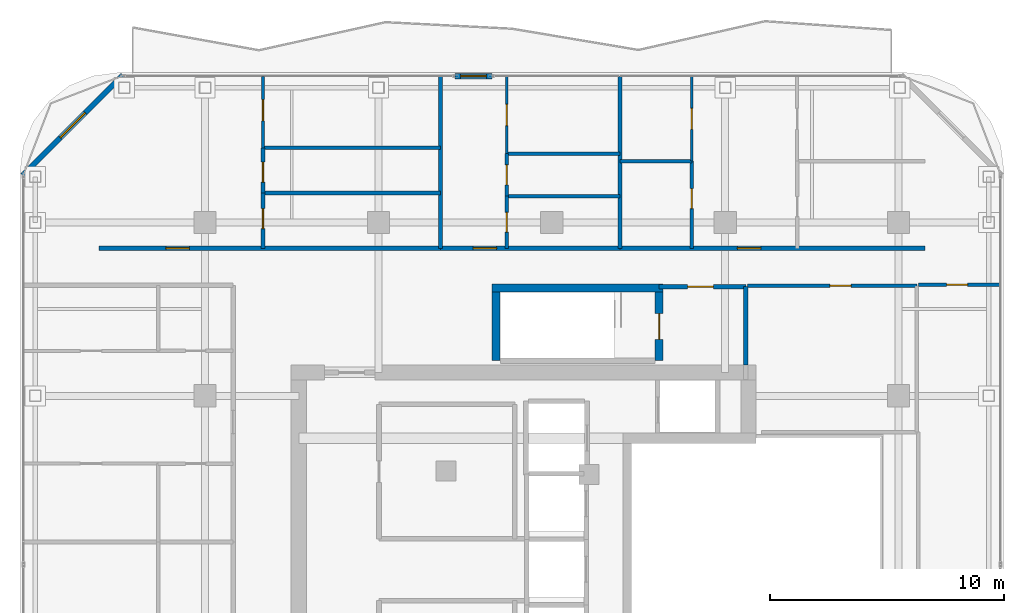
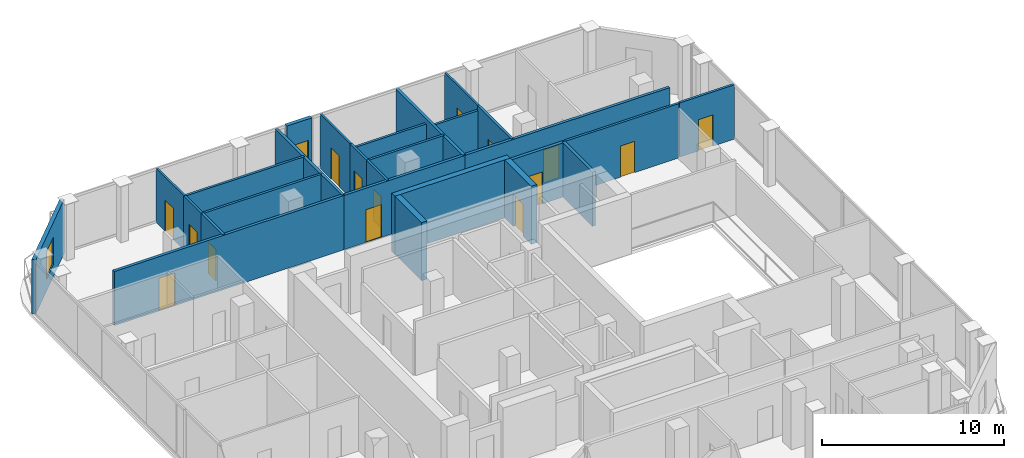
# One storey, part 20 of 22: 27 walls, 16 doors, 1 window, 17 openings.
"""IFC4 building model written with IfcOpenShell, lengths in metres."""

from ifc_helpers import new_model, si_unit, direction, frame, frame_2d, origin, place, context, subcontext, project, spatial, rectangle, extrude, material, layer, layer_set, type_object, element, fill, save


model = new_model("IFC4")

# Units and contexts
model_context = context("Model", 3, precision=1e-05, world=origin(), true_north=direction((0.0, 1.0)))
body_context = subcontext(model_context, "Body", "Model", "MODEL_VIEW")
ifc_project = project(units=[si_unit("LENGTHUNIT", "METRE"), si_unit("AREAUNIT", "SQUARE_METRE"), si_unit("VOLUMEUNIT", "CUBIC_METRE"), si_unit("PLANEANGLEUNIT", "RADIAN"), si_unit("MASSUNIT", "GRAM", prefix="KILO")], contexts=[model_context])

# Site, building, storey
site_placement = place(None, origin())
site = spatial("IfcSite", under=ifc_project, at=site_placement, CompositionType="ELEMENT")
building_placement = place(site_placement, origin())
building = spatial("IfcBuilding", under=site, at=building_placement, Name="Khorvyn Point Tower", CompositionType="ELEMENT")
storey_placement = place(building_placement, frame((0.0, 0.0, 309.300048828125)))
storey = spatial("IfcBuildingStorey", under=building, at=storey_placement, Name="L76", CompositionType="ELEMENT", Elevation=309.300048828125)

# Wall, opening, door
ifc_material_1 = material(Name="Double acoustic gypsum on twin steel stud", Category="steel")
ifc_layer_1 = layer(ifc_material_1, 0.179931640625)
ifc_layer_set_1 = layer_set([ifc_layer_1], Name="Acoustic Double-Stud Apartment Demising Wall 180")
wall_type_1 = type_object("IfcWallType", Name="Acoustic Double-Stud Apartment Demising Wall 180", PredefinedType="PARTITIONING", material=ifc_layer_set_1)
wall_1_placement = place(storey_placement, frame((-19.320068359375, 13.699951171875, 0.0), z_axis=(0.0, 0.0, 1.0), x_axis=(1.0, 0.0, 0.0)))
wall_1 = element("IfcWall", 1, at=wall_1_placement, inside=storey, type_object=wall_type_1, Name="Wall", PredefinedType="PARTITIONING", context=body_context, shape_type="SweptSolid", body=[
    extrude(rectangle(XDim=14.566162109375, YDim=0.179931640625, at=frame_2d((7.283203125, 0.0))), origin(), (0.0, 0.0, 1.0), 3.639892578125),
])
opening_1_placement = place(wall_1_placement, frame((2.844970703125, 0.0, 0.0)))
opening_1 = element("IfcOpeningElement", 2, at=opening_1_placement, cuts=wall_1, Name="Opening ID-AP60", PredefinedType="OPENING", context=body_context, shape_type="SweptSolid", body=[
    extrude(rectangle(XDim=1.0, YDim=2.199951171875, at=frame_2d((0.5, 1.10009765625))), frame((0.0, 0.099853515625, 0.0), z_axis=(0.0, -1.0, 0.0), x_axis=(1.0, 0.0, 0.0)), (0.0, 0.0, 1.0), 0.199951171875),
])
ifc_material_2 = material(Name="Engineered hardwood fire-rated leaf", Category="wood")
door_type_1 = type_object("IfcDoorType", Name="Acoustic Solid-Core Timber Apartment Entrance Door 1000x2200", OperationType="NOTDEFINED", PredefinedType="DOOR", material=ifc_material_2)
door_1_placement = place(opening_1_placement, origin())
door_1 = element("IfcDoor", 3, at=door_1_placement, inside=storey, type_object=door_type_1, Name="Door", OperationType="SINGLE_SWING_LEFT", OverallHeight=2.199951171875, OverallWidth=1.0, PredefinedType="DOOR", context=body_context, shape_type="SweptSolid", body=[
    extrude(rectangle(XDim=1.0, YDim=2.199951171875, at=frame_2d((0.5, 1.10009765625))), frame((0.0, 0.02490234375, 0.0), z_axis=(0.0, -1.0, 0.0), x_axis=(1.0, 0.0, 0.0)), (0.0, 0.0, 1.0), 0.050048828125),
])
fill(opening_1, door_1)

wall_2_placement = place(storey_placement, frame((-4.75390625, 13.699951171875, 0.0), z_axis=(0.0, 0.0, 1.0), x_axis=(1.0, 0.0, 0.0)))
wall_2 = element("IfcWall", 4, at=wall_2_placement, inside=storey, type_object=wall_type_1, Name="Wall", PredefinedType="PARTITIONING", context=body_context, shape_type="SweptSolid", body=[
    extrude(rectangle(XDim=7.658935546875, YDim=0.179931640625, at=frame_2d((3.82958984375, 0.0))), origin(), (0.0, 0.0, 1.0), 3.639892578125),
])
opening_2_placement = place(wall_2_placement, frame((1.392578125, 0.0, 0.0)))
opening_2 = element("IfcOpeningElement", 5, at=opening_2_placement, cuts=wall_2, Name="Opening ID-AP60", PredefinedType="OPENING", context=body_context, shape_type="SweptSolid", body=[
    extrude(rectangle(XDim=1.0, YDim=2.199951171875, at=frame_2d((0.5, 1.10009765625))), frame((0.0, 0.099853515625, 0.0), z_axis=(0.0, -1.0, 0.0), x_axis=(1.0, 0.0, 0.0)), (0.0, 0.0, 1.0), 0.199951171875),
])
door_2_placement = place(opening_2_placement, origin())
door_2 = element("IfcDoor", 6, at=door_2_placement, inside=storey, type_object=door_type_1, Name="Door", OperationType="SINGLE_SWING_LEFT", OverallHeight=2.199951171875, OverallWidth=1.0, PredefinedType="DOOR", context=body_context, shape_type="SweptSolid", body=[
    extrude(rectangle(XDim=1.0, YDim=2.199951171875, at=frame_2d((0.5, 1.10009765625))), frame((0.0, 0.02490234375, 0.0), z_axis=(0.0, -1.0, 0.0), x_axis=(1.0, 0.0, 0.0)), (0.0, 0.0, 1.0), 0.050048828125),
])
fill(opening_2, door_2)

wall_3_placement = place(storey_placement, frame((2.905029296875, 13.699951171875, 0.0), z_axis=(0.0, 0.0, 1.0), x_axis=(1.0, 0.0, 0.0)))
wall_3 = element("IfcWall", 7, at=wall_3_placement, inside=storey, type_object=wall_type_1, Name="Wall", PredefinedType="PARTITIONING", context=body_context, shape_type="SweptSolid", body=[
    extrude(rectangle(XDim=13.014892578125, YDim=0.179931640625, at=frame_2d((6.50732421875, 0.0))), origin(), (0.0, 0.0, 1.0), 3.639892578125),
])
opening_3_placement = place(wall_3_placement, frame((5.017822265625, 0.0, 0.0)))
opening_3 = element("IfcOpeningElement", 8, at=opening_3_placement, cuts=wall_3, Name="Opening ID-AP60", PredefinedType="OPENING", context=body_context, shape_type="SweptSolid", body=[
    extrude(rectangle(XDim=1.0, YDim=2.199951171875, at=frame_2d((0.5, 1.10009765625))), frame((0.0, 0.099853515625, 0.0), z_axis=(0.0, -1.0, 0.0), x_axis=(1.0, 0.0, 0.0)), (0.0, 0.0, 1.0), 0.199951171875),
])
door_3_placement = place(opening_3_placement, origin())
door_3 = element("IfcDoor", 9, at=door_3_placement, inside=storey, type_object=door_type_1, Name="Door", OperationType="SINGLE_SWING_LEFT", OverallHeight=2.199951171875, OverallWidth=1.0, PredefinedType="DOOR", context=body_context, shape_type="SweptSolid", body=[
    extrude(rectangle(XDim=1.0, YDim=2.199951171875, at=frame_2d((0.5, 1.10009765625))), frame((0.0, 0.02490234375, 0.0), z_axis=(0.0, -1.0, 0.0), x_axis=(1.0, 0.0, 0.0)), (0.0, 0.0, 1.0), 0.050048828125),
])
fill(opening_3, door_3)

# Walls
for number, where, z_axis, x_axis, name in (
    (10, (-4.75390625, 13.699951171875, 0.0), (0.0, 0.0, 1.0), (0.0, 1.0, 0.0), "Wall"),
    (11, (2.905029296875, 13.699951171875, 0.0), (0.0, 0.0, 1.0), (0.0, 1.0, 0.0), "Wall"),
):
    element("IfcWall", number, at=place(storey_placement, frame(where, z_axis=z_axis, x_axis=x_axis)), inside=storey, type_object=wall_type_1, Name=name, PredefinedType="PARTITIONING", context=body_context, shape_type="SweptSolid", body=[
        extrude(rectangle(XDim=7.330078125, YDim=0.179931640625, at=frame_2d((3.6650390625, 0.0))), origin(), (0.0, 0.0, 1.0), 3.639892578125),
    ])

# Wall, opening, door
ifc_material_3 = material(Name="Pale anodised aluminium rainscreen on steel stud", Category="steel")
ifc_layer_2 = layer(ifc_material_3, 0.239990234375)
ifc_layer_set_2 = layer_set([ifc_layer_2], Name="Anodised Aluminium Insulated Corner Spandrel Wall 240")
wall_type_2 = type_object("IfcWallType", Name="Anodised Aluminium Insulated Corner Spandrel Wall 240", PredefinedType="SOLIDWALL", material=ifc_layer_set_2)
wall_4_placement = place(storey_placement, frame((-4.1298828125, 21.050048828125, 0.0), z_axis=(0.0, 0.0, 1.0), x_axis=(1.0, 0.0, 0.0)))
wall_4 = element("IfcWall", 12, at=wall_4_placement, inside=storey, type_object=wall_type_2, Name="L76 North Outdoor Threshold Wall", PredefinedType="SOLIDWALL", context=body_context, shape_type="SweptSolid", body=[
    extrude(rectangle(XDim=1.579833984375, YDim=0.239990234375, at=frame_2d((0.7900390625, 0.0))), origin(), (0.0, 0.0, 1.0), 3.639892578125),
])
opening_4_placement = place(wall_4_placement, frame((0.239990234375, 0.0, 0.0)))
opening_4 = element("IfcOpeningElement", 13, at=opening_4_placement, cuts=wall_4, Name="Opening BD-1122", PredefinedType="OPENING", context=body_context, shape_type="SweptSolid", body=[
    extrude(rectangle(XDim=1.10009765625, YDim=2.199951171875, at=frame_2d((0.550048828125, 1.10009765625))), frame((0.0, 0.1298828125, 0.0), z_axis=(0.0, -1.0, 0.0), x_axis=(1.0, 0.0, 0.0)), (0.0, 0.0, 1.0), 0.260009765625),
])
ifc_material_4 = material(Name="Anodised aluminium 6063-T6 and laminated Low-E glass", Category="aluminium")
door_type_2 = type_object("IfcDoorType", Name="Glazed Balcony and Terrace Threshold Door 1100x2200", OperationType="NOTDEFINED", PredefinedType="DOOR", material=ifc_material_4)
door_4_placement = place(opening_4_placement, origin())
door_4 = element("IfcDoor", 14, at=door_4_placement, inside=storey, type_object=door_type_2, Name="L76 North Glazed Balcony Outdoor Door", OperationType="SINGLE_SWING_RIGHT", OverallHeight=2.199951171875, OverallWidth=1.10009765625, PredefinedType="DOOR", context=body_context, shape_type="SweptSolid", body=[
    extrude(rectangle(XDim=1.10009765625, YDim=2.199951171875, at=frame_2d((0.550048828125, 1.10009765625))), frame((0.0, 0.02490234375, 0.0), z_axis=(0.0, -1.0, 0.0), x_axis=(1.0, 0.0, 0.0)), (0.0, 0.0, 1.0), 0.050048828125),
])
fill(opening_4, door_4)

# Wall, opening, window
wall_5_placement = place(storey_placement, frame((-22.59228515625, 16.8076171875, 0.0), z_axis=(0.0, 0.0, 1.0), x_axis=(0.707106781187, 0.707106781187, 0.0)))
wall_5 = element("IfcWall", 15, at=wall_5_placement, inside=storey, type_object=wall_type_2, Name="L76 Rounded Corner Wall NW", PredefinedType="SOLIDWALL", context=body_context, shape_type="SweptSolid", body=[
    extrude(rectangle(XDim=6.059326171875, YDim=0.239990234375, at=frame_2d((3.02978515625, 0.0))), origin(), (0.0, 0.0, 1.0), 3.639892578125),
])
opening_5_placement = place(wall_5_placement, frame((2.27978515625, 0.0, 0.800048828125)))
opening_5 = element("IfcOpeningElement", 16, at=opening_5_placement, cuts=wall_5, Name="Opening WN-1518", PredefinedType="OPENING", context=body_context, shape_type="SweptSolid", body=[
    extrude(rectangle(XDim=1.5, YDim=1.85009765625, at=frame_2d((0.75, 0.925048828125))), frame((0.0, 0.1298828125, 0.0), z_axis=(0.0, -1.0, 0.0), x_axis=(1.0, 0.0, 0.0)), (0.0, 0.0, 1.0), 0.260009765625),
])
window_type = type_object("IfcWindowType", Name="Anodised Aluminium Rounded-Corner Panoramic Window 1500x1850", PartitioningType="SINGLE_PANEL", PredefinedType="WINDOW", material=ifc_material_4)
window_placement = place(opening_5_placement, origin())
window = element("IfcWindow", 17, at=window_placement, inside=storey, type_object=window_type, Name="L76 Corner Panoramic Window NW", OverallHeight=1.85009765625, OverallWidth=1.5, PartitioningType="SINGLE_PANEL", PredefinedType="WINDOW", context=body_context, shape_type="SweptSolid", body=[
    extrude(rectangle(XDim=1.5, YDim=1.85009765625, at=frame_2d((0.75, 0.925048828125))), frame((0.0, 0.030029296875, 0.0), z_axis=(0.0, -1.0, 0.0), x_axis=(1.0, 0.0, 0.0)), (0.0, 0.0, 1.0), 0.06005859375),
])
fill(opening_5, window)

# Wall, opening, door
ifc_material_5 = material(Name="Concrete C40/50", Category="concrete")
ifc_layer_3 = layer(ifc_material_5, 0.199951171875)
ifc_layer_set_3 = layer_set([ifc_layer_3], Name="Concrete C40/50 Fire-Lobby Compartment Wall 200")
wall_type_3 = type_object("IfcWallType", Name="Concrete C40/50 Fire-Lobby Compartment Wall 200", PredefinedType="SOLIDWALL", material=ifc_layer_set_3)
wall_6_placement = place(storey_placement, frame((4.580078125, 12.06005859375, 0.0), z_axis=(0.0, 0.0, 1.0), x_axis=(1.0, 0.0, 0.0)))
wall_6 = element("IfcWall", 18, at=wall_6_placement, inside=storey, type_object=wall_type_3, Name="Wall", PredefinedType="SOLIDWALL", context=body_context, shape_type="SweptSolid", body=[
    extrude(rectangle(XDim=3.699951171875, YDim=0.199951171875, at=frame_2d((1.85009765625, 0.0))), origin(), (0.0, 0.0, 1.0), 3.639892578125),
])
opening_6_placement = place(wall_6_placement, frame((1.21240234375, 0.0, 0.0)))
opening_6 = element("IfcOpeningElement", 19, at=opening_6_placement, cuts=wall_6, Name="Opening ID-FL90", PredefinedType="OPENING", context=body_context, shape_type="SweptSolid", body=[
    extrude(rectangle(XDim=1.10009765625, YDim=2.14990234375, at=frame_2d((0.550048828125, 1.074951171875))), frame((0.0, 0.10986328125, 0.0), z_axis=(0.0, -1.0, 0.0), x_axis=(1.0, 0.0, 0.0)), (0.0, 0.0, 1.0), 0.219970703125),
])
ifc_material_6 = material(Name="Galvanised powder-coated steel", Category="steel")
door_type_3 = type_object("IfcDoorType", Name="Fire-Rated Steel Lobby and Stair Door 1100x2150", OperationType="NOTDEFINED", PredefinedType="DOOR", material=ifc_material_6)
door_5_placement = place(opening_6_placement, origin())
door_5 = element("IfcDoor", 20, at=door_5_placement, inside=storey, type_object=door_type_3, Name="Door", OperationType="SINGLE_SWING_LEFT", OverallHeight=2.14990234375, OverallWidth=1.10009765625, PredefinedType="DOOR", context=body_context, shape_type="SweptSolid", body=[
    extrude(rectangle(XDim=1.10009765625, YDim=2.14990234375, at=frame_2d((0.550048828125, 1.074951171875))), frame((0.0, 0.02490234375, 0.0), z_axis=(0.0, -1.0, 0.0), x_axis=(1.0, 0.0, 0.0)), (0.0, 0.0, 1.0), 0.050048828125),
])
fill(opening_6, door_5)

# Walls
wall_7_placement = place(storey_placement, frame((8.280029296875, 8.72509765625, 0.0), z_axis=(0.0, 0.0, 1.0), x_axis=(0.0, 1.0, 0.0)))
element("IfcWall", 21, at=wall_7_placement, inside=storey, type_object=wall_type_3, Name="Wall", PredefinedType="SOLIDWALL", context=body_context, shape_type="SweptSolid", body=[
    extrude(rectangle(XDim=3.3349609375, YDim=0.199951171875, at=frame_2d((1.66748046875, 0.0))), origin(), (0.0, 0.0, 1.0), 3.639892578125),
])
ifc_layer_4 = layer(ifc_material_5, 0.35009765625)
ifc_layer_set_4 = layer_set([ifc_layer_4], Name="Concrete C40/50 Stair Shaft Structural Wall 350")
wall_type_4 = type_object("IfcWallType", Name="Concrete C40/50 Stair Shaft Structural Wall 350", PredefinedType="SHEAR", material=ifc_layer_set_4)
wall_8_placement = place(storey_placement, frame((-2.554931640625, 12.0, 0.0), z_axis=(0.0, 0.0, 1.0), x_axis=(1.0, 0.0, 0.0)))
element("IfcWall", 22, at=wall_8_placement, inside=storey, type_object=wall_type_4, Name="L76 ST-02 North Shaft Wall", PredefinedType="SHEAR", context=body_context, shape_type="SweptSolid", body=[
    extrude(rectangle(XDim=7.309814453125, YDim=0.35009765625, at=frame_2d((3.65478515625, 0.0))), origin(), (0.0, 0.0, 1.0), 3.89990234375),
])
wall_9_placement = place(storey_placement, frame((-2.3798828125, 8.89990234375, 0.0), z_axis=(0.0, 0.0, 1.0), x_axis=(0.0, 1.0, 0.0)))
element("IfcWall", 23, at=wall_9_placement, inside=storey, type_object=wall_type_4, Name="L76 ST-02 West Shaft Wall", PredefinedType="SHEAR", context=body_context, shape_type="SweptSolid", body=[
    extrude(rectangle(XDim=2.925048828125, YDim=0.35009765625, at=frame_2d((1.46240234375, 0.0))), origin(), (0.0, 0.0, 1.0), 3.89990234375),
])

# Wall, opening, door
wall_10_placement = place(storey_placement, frame((4.580078125, 11.824951171875, 0.0), z_axis=(0.0, 0.0, 1.0), x_axis=(0.0, -1.0, 0.0)))
wall_10 = element("IfcWall", 24, at=wall_10_placement, inside=storey, type_object=wall_type_4, Name="L76 ST-02 East Landing Door Wall", PredefinedType="SHEAR", context=body_context, shape_type="SweptSolid", body=[
    extrude(rectangle(XDim=2.925048828125, YDim=0.35009765625, at=frame_2d((1.46240234375, 0.0))), origin(), (0.0, 0.0, 1.0), 3.89990234375),
])
opening_7_placement = place(wall_10_placement, frame((0.91259765625, 0.0, 0.0)))
opening_7 = element("IfcOpeningElement", 25, at=opening_7_placement, cuts=wall_10, Name="Opening ID-FL90", PredefinedType="OPENING", context=body_context, shape_type="SweptSolid", body=[
    extrude(rectangle(XDim=1.10009765625, YDim=2.14990234375, at=frame_2d((0.550048828125, 1.074951171875))), frame((0.0, 0.18505859375, 0.0), z_axis=(0.0, -1.0, 0.0), x_axis=(1.0, 0.0, 0.0)), (0.0, 0.0, 1.0), 0.3701171875),
])
door_6_placement = place(opening_7_placement, origin())
door_6 = element("IfcDoor", 26, at=door_6_placement, inside=storey, type_object=door_type_3, Name="L76 ST-02 Smokeproof Landing Door", OperationType="SINGLE_SWING_LEFT", OverallHeight=2.14990234375, OverallWidth=1.10009765625, PredefinedType="DOOR", context=body_context, shape_type="SweptSolid", body=[
    extrude(rectangle(XDim=1.10009765625, YDim=2.14990234375, at=frame_2d((0.550048828125, 1.074951171875))), frame((0.0, 0.02490234375, 0.0), z_axis=(0.0, -1.0, 0.0), x_axis=(1.0, 0.0, 0.0)), (0.0, 0.0, 1.0), 0.050048828125),
])
fill(opening_7, door_6)

ifc_material_7 = material(Name="Gypsum plasterboard on steel stud", Category="steel")
ifc_layer_5 = layer(ifc_material_7, 0.1201171875)
ifc_layer_set_5 = layer_set([ifc_layer_5], Name="Gypsum Acoustic Stud Room Partition Wall 120")
wall_type_5 = type_object("IfcWallType", Name="Gypsum Acoustic Stud Room Partition Wall 120", PredefinedType="PARTITIONING", material=ifc_layer_set_5)
wall_11_placement = place(storey_placement, frame((-12.327880859375, 17.989990234375, 0.0), z_axis=(0.0, 0.0, 1.0), x_axis=(0.0, 1.0, 0.0)))
wall_11 = element("IfcWall", 27, at=wall_11_placement, inside=storey, type_object=wall_type_5, Name="Wall", PredefinedType="PARTITIONING", context=body_context, shape_type="SweptSolid", body=[
    extrude(rectangle(XDim=3.0400390625, YDim=0.1201171875, at=frame_2d((1.52001953125, 0.0))), origin(), (0.0, 0.0, 1.0), 3.639892578125),
])
opening_8_placement = place(wall_11_placement, frame((1.152587890625, 0.0, 0.0)))
opening_8 = element("IfcOpeningElement", 28, at=opening_8_placement, cuts=wall_11, Name="Opening ID-RM90", PredefinedType="OPENING", context=body_context, shape_type="SweptSolid", body=[
    extrude(rectangle(XDim=0.89990234375, YDim=2.10009765625, at=frame_2d((0.449951171875, 1.050048828125))), frame((0.0, 0.070068359375, 0.0), z_axis=(0.0, -1.0, 0.0), x_axis=(1.0, 0.0, 0.0)), (0.0, 0.0, 1.0), 0.14013671875),
])
ifc_material_8 = material(Name="Engineered oak veneer timber", Category="wood")
door_type_4 = type_object("IfcDoorType", Name="Flush Engineered Timber Room Door 900x2100", OperationType="NOTDEFINED", PredefinedType="DOOR", material=ifc_material_8)
door_7_placement = place(opening_8_placement, origin())
door_7 = element("IfcDoor", 29, at=door_7_placement, inside=storey, type_object=door_type_4, Name="Door", OperationType="SINGLE_SWING_RIGHT", OverallHeight=2.10009765625, OverallWidth=0.89990234375, PredefinedType="DOOR", context=body_context, shape_type="SweptSolid", body=[
    extrude(rectangle(XDim=0.89990234375, YDim=2.10009765625, at=frame_2d((0.449951171875, 1.050048828125))), frame((0.0, 0.02490234375, 0.0), z_axis=(0.0, -1.0, 0.0), x_axis=(1.0, 0.0, 0.0)), (0.0, 0.0, 1.0), 0.050048828125),
])
fill(opening_8, door_7)

wall_12_placement = place(storey_placement, frame((-1.926025390625, 17.743896484375, 0.0), z_axis=(0.0, 0.0, 1.0), x_axis=(0.0, 1.0, 0.0)))
wall_12 = element("IfcWall", 30, at=wall_12_placement, inside=storey, type_object=wall_type_5, Name="Wall", PredefinedType="PARTITIONING", context=body_context, shape_type="SweptSolid", body=[
    extrude(rectangle(XDim=3.2861328125, YDim=0.1201171875, at=frame_2d((1.64306640625, 0.0))), origin(), (0.0, 0.0, 1.0), 3.639892578125),
])
opening_9_placement = place(wall_12_placement, frame((1.193115234375, 0.0, 0.0)))
opening_9 = element("IfcOpeningElement", 31, at=opening_9_placement, cuts=wall_12, Name="Opening ID-RM90", PredefinedType="OPENING", context=body_context, shape_type="SweptSolid", body=[
    extrude(rectangle(XDim=0.89990234375, YDim=2.10009765625, at=frame_2d((0.449951171875, 1.050048828125))), frame((0.0, 0.070068359375, 0.0), z_axis=(0.0, -1.0, 0.0), x_axis=(1.0, 0.0, 0.0)), (0.0, 0.0, 1.0), 0.14013671875),
])
door_8_placement = place(opening_9_placement, origin())
door_8 = element("IfcDoor", 32, at=door_8_placement, inside=storey, type_object=door_type_4, Name="Door", OperationType="SINGLE_SWING_RIGHT", OverallHeight=2.10009765625, OverallWidth=0.89990234375, PredefinedType="DOOR", context=body_context, shape_type="SweptSolid", body=[
    extrude(rectangle(XDim=0.89990234375, YDim=2.10009765625, at=frame_2d((0.449951171875, 1.050048828125))), frame((0.0, 0.02490234375, 0.0), z_axis=(0.0, -1.0, 0.0), x_axis=(1.0, 0.0, 0.0)), (0.0, 0.0, 1.0), 0.050048828125),
])
fill(opening_9, door_8)

wall_13_placement = place(storey_placement, frame((5.97412109375, 17.4208984375, 0.0), z_axis=(0.0, 0.0, 1.0), x_axis=(0.0, 1.0, 0.0)))
wall_13 = element("IfcWall", 33, at=wall_13_placement, inside=storey, type_object=wall_type_5, Name="Wall", PredefinedType="PARTITIONING", context=body_context, shape_type="SweptSolid", body=[
    extrude(rectangle(XDim=3.609130859375, YDim=0.1201171875, at=frame_2d((1.8046875, 0.0))), origin(), (0.0, 0.0, 1.0), 3.639892578125),
])
opening_10_placement = place(wall_13_placement, frame((1.3544921875, 0.0, 0.0)))
opening_10 = element("IfcOpeningElement", 34, at=opening_10_placement, cuts=wall_13, Name="Opening ID-RM90", PredefinedType="OPENING", context=body_context, shape_type="SweptSolid", body=[
    extrude(rectangle(XDim=0.89990234375, YDim=2.10009765625, at=frame_2d((0.449951171875, 1.050048828125))), frame((0.0, 0.070068359375, 0.0), z_axis=(0.0, -1.0, 0.0), x_axis=(1.0, 0.0, 0.0)), (0.0, 0.0, 1.0), 0.14013671875),
])
door_9_placement = place(opening_10_placement, origin())
door_9 = element("IfcDoor", 35, at=door_9_placement, inside=storey, type_object=door_type_4, Name="Door", OperationType="SINGLE_SWING_LEFT", OverallHeight=2.10009765625, OverallWidth=0.89990234375, PredefinedType="DOOR", context=body_context, shape_type="SweptSolid", body=[
    extrude(rectangle(XDim=0.89990234375, YDim=2.10009765625, at=frame_2d((0.449951171875, 1.050048828125))), frame((0.0, 0.02490234375, 0.0), z_axis=(0.0, -1.0, 0.0), x_axis=(1.0, 0.0, 0.0)), (0.0, 0.0, 1.0), 0.050048828125),
])
fill(opening_10, door_9)

ifc_material_9 = material(Name="Moisture-resistant gypsum and cement board", Category="gypsum")
ifc_layer_6 = layer(ifc_material_9, 0.14990234375)
ifc_layer_set_6 = layer_set([ifc_layer_6], Name="Moisture-Resistant Wet-Room Partition Wall 150")
wall_type_6 = type_object("IfcWallType", Name="Moisture-Resistant Wet-Room Partition Wall 150", PredefinedType="PARTITIONING", material=ifc_layer_set_6)
wall_14_placement = place(storey_placement, frame((8.360107421875, 12.10009765625, 0.0), z_axis=(0.0, 0.0, 1.0), x_axis=(1.0, 0.0, 0.0)))
wall_14 = element("IfcWall", 36, at=wall_14_placement, inside=storey, type_object=wall_type_6, Name="Wall", PredefinedType="PARTITIONING", context=body_context, shape_type="SweptSolid", body=[
    extrude(rectangle(XDim=7.219970703125, YDim=0.14990234375, at=frame_2d((3.60986328125, 0.0))), origin(), (0.0, 0.0, 1.0), 3.639892578125),
])
opening_11_placement = place(wall_14_placement, frame((3.512939453125, 0.0, 0.0)))
opening_11 = element("IfcOpeningElement", 37, at=opening_11_placement, cuts=wall_14, Name="Opening ID-RM90", PredefinedType="OPENING", context=body_context, shape_type="SweptSolid", body=[
    extrude(rectangle(XDim=0.89990234375, YDim=2.10009765625, at=frame_2d((0.449951171875, 1.050048828125))), frame((0.0, 0.0849609375, 0.0), z_axis=(0.0, -1.0, 0.0), x_axis=(1.0, 0.0, 0.0)), (0.0, 0.0, 1.0), 0.169921875),
])
door_10_placement = place(opening_11_placement, origin())
door_10 = element("IfcDoor", 38, at=door_10_placement, inside=storey, type_object=door_type_4, Name="Door", OperationType="SINGLE_SWING_RIGHT", OverallHeight=2.10009765625, OverallWidth=0.89990234375, PredefinedType="DOOR", context=body_context, shape_type="SweptSolid", body=[
    extrude(rectangle(XDim=0.89990234375, YDim=2.10009765625, at=frame_2d((0.449951171875, 1.050048828125))), frame((0.0, 0.02490234375, 0.0), z_axis=(0.0, -1.0, 0.0), x_axis=(1.0, 0.0, 0.0)), (0.0, 0.0, 1.0), 0.050048828125),
])
fill(opening_11, door_10)

wall_15_placement = place(storey_placement, frame((-12.327880859375, 13.699951171875, 0.0), z_axis=(0.0, 0.0, 1.0), x_axis=(0.0, 1.0, 0.0)))
wall_15 = element("IfcWall", 39, at=wall_15_placement, inside=storey, type_object=wall_type_6, Name="Wall", PredefinedType="PARTITIONING", context=body_context, shape_type="SweptSolid", body=[
    extrude(rectangle(XDim=2.359130859375, YDim=0.14990234375, at=frame_2d((1.1796875, 0.0))), origin(), (0.0, 0.0, 1.0), 3.639892578125),
])
opening_12_placement = place(wall_15_placement, frame((0.83935546875, 0.0, 0.0)))
opening_12 = element("IfcOpeningElement", 40, at=opening_12_placement, cuts=wall_15, Name="Opening ID-WC85", PredefinedType="OPENING", context=body_context, shape_type="SweptSolid", body=[
    extrude(rectangle(XDim=0.85009765625, YDim=2.10009765625, at=frame_2d((0.425048828125, 1.050048828125))), frame((0.0, 0.0849609375, 0.0), z_axis=(0.0, -1.0, 0.0), x_axis=(1.0, 0.0, 0.0)), (0.0, 0.0, 1.0), 0.169921875),
])
ifc_material_10 = material(Name="High-pressure laminate on moisture-resistant core", Category="wood")
door_type_5 = type_object("IfcDoorType", Name="Moisture-Resistant Accessible Washroom Door 850x2100", OperationType="NOTDEFINED", PredefinedType="DOOR", material=ifc_material_10)
door_11_placement = place(opening_12_placement, origin())
door_11 = element("IfcDoor", 41, at=door_11_placement, inside=storey, type_object=door_type_5, Name="Door", OperationType="SINGLE_SWING_RIGHT", OverallHeight=2.10009765625, OverallWidth=0.85009765625, PredefinedType="DOOR", context=body_context, shape_type="SweptSolid", body=[
    extrude(rectangle(XDim=0.85009765625, YDim=2.10009765625, at=frame_2d((0.425048828125, 1.050048828125))), frame((0.0, 0.02490234375, 0.0), z_axis=(0.0, -1.0, 0.0), x_axis=(1.0, 0.0, 0.0)), (0.0, 0.0, 1.0), 0.050048828125),
])
fill(opening_12, door_11)

wall_16_placement = place(storey_placement, frame((-12.327880859375, 16.05908203125, 0.0), z_axis=(0.0, 0.0, 1.0), x_axis=(0.0, 1.0, 0.0)))
wall_16 = element("IfcWall", 42, at=wall_16_placement, inside=storey, type_object=wall_type_6, Name="Wall", PredefinedType="PARTITIONING", context=body_context, shape_type="SweptSolid", body=[
    extrude(rectangle(XDim=1.930908203125, YDim=0.14990234375, at=frame_2d((0.96533203125, 0.0))), origin(), (0.0, 0.0, 1.0), 3.639892578125),
])
opening_13_placement = place(wall_16_placement, frame((0.46435546875, 0.0, 0.0)))
opening_13 = element("IfcOpeningElement", 43, at=opening_13_placement, cuts=wall_16, Name="Opening ID-WC85", PredefinedType="OPENING", context=body_context, shape_type="SweptSolid", body=[
    extrude(rectangle(XDim=0.85009765625, YDim=2.10009765625, at=frame_2d((0.425048828125, 1.050048828125))), frame((0.0, 0.0849609375, 0.0), z_axis=(0.0, -1.0, 0.0), x_axis=(1.0, 0.0, 0.0)), (0.0, 0.0, 1.0), 0.169921875),
])
door_12_placement = place(opening_13_placement, origin())
door_12 = element("IfcDoor", 44, at=door_12_placement, inside=storey, type_object=door_type_5, Name="Door", OperationType="SINGLE_SWING_LEFT", OverallHeight=2.10009765625, OverallWidth=0.85009765625, PredefinedType="DOOR", context=body_context, shape_type="SweptSolid", body=[
    extrude(rectangle(XDim=0.85009765625, YDim=2.10009765625, at=frame_2d((0.425048828125, 1.050048828125))), frame((0.0, 0.02490234375, 0.0), z_axis=(0.0, -1.0, 0.0), x_axis=(1.0, 0.0, 0.0)), (0.0, 0.0, 1.0), 0.050048828125),
])
fill(opening_13, door_12)

wall_17_placement = place(storey_placement, frame((-1.926025390625, 13.699951171875, 0.0), z_axis=(0.0, 0.0, 1.0), x_axis=(0.0, 1.0, 0.0)))
wall_17 = element("IfcWall", 45, at=wall_17_placement, inside=storey, type_object=wall_type_6, Name="Wall", PredefinedType="PARTITIONING", context=body_context, shape_type="SweptSolid", body=[
    extrude(rectangle(XDim=2.22412109375, YDim=0.14990234375, at=frame_2d((1.112060546875, 0.0))), origin(), (0.0, 0.0, 1.0), 3.639892578125),
])
opening_14_placement = place(wall_17_placement, frame((0.68701171875, 0.0, 0.0)))
opening_14 = element("IfcOpeningElement", 46, at=opening_14_placement, cuts=wall_17, Name="Opening ID-WC85", PredefinedType="OPENING", context=body_context, shape_type="SweptSolid", body=[
    extrude(rectangle(XDim=0.85009765625, YDim=2.10009765625, at=frame_2d((0.425048828125, 1.050048828125))), frame((0.0, 0.0849609375, 0.0), z_axis=(0.0, -1.0, 0.0), x_axis=(1.0, 0.0, 0.0)), (0.0, 0.0, 1.0), 0.169921875),
])
door_13_placement = place(opening_14_placement, origin())
door_13 = element("IfcDoor", 47, at=door_13_placement, inside=storey, type_object=door_type_5, Name="Door", OperationType="SINGLE_SWING_RIGHT", OverallHeight=2.10009765625, OverallWidth=0.85009765625, PredefinedType="DOOR", context=body_context, shape_type="SweptSolid", body=[
    extrude(rectangle(XDim=0.85009765625, YDim=2.10009765625, at=frame_2d((0.425048828125, 1.050048828125))), frame((0.0, 0.02490234375, 0.0), z_axis=(0.0, -1.0, 0.0), x_axis=(1.0, 0.0, 0.0)), (0.0, 0.0, 1.0), 0.050048828125),
])
fill(opening_14, door_13)

wall_18_placement = place(storey_placement, frame((-1.926025390625, 15.924072265625, 0.0), z_axis=(0.0, 0.0, 1.0), x_axis=(0.0, 1.0, 0.0)))
wall_18 = element("IfcWall", 48, at=wall_18_placement, inside=storey, type_object=wall_type_6, Name="Wall", PredefinedType="PARTITIONING", context=body_context, shape_type="SweptSolid", body=[
    extrude(rectangle(XDim=1.81982421875, YDim=0.14990234375, at=frame_2d((0.909912109375, 0.0))), origin(), (0.0, 0.0, 1.0), 3.639892578125),
])
opening_15_placement = place(wall_18_placement, frame((0.485107421875, 0.0, 0.0)))
opening_15 = element("IfcOpeningElement", 49, at=opening_15_placement, cuts=wall_18, Name="Opening ID-WC85", PredefinedType="OPENING", context=body_context, shape_type="SweptSolid", body=[
    extrude(rectangle(XDim=0.85009765625, YDim=2.10009765625, at=frame_2d((0.425048828125, 1.050048828125))), frame((0.0, 0.0849609375, 0.0), z_axis=(0.0, -1.0, 0.0), x_axis=(1.0, 0.0, 0.0)), (0.0, 0.0, 1.0), 0.169921875),
])
door_14_placement = place(opening_15_placement, origin())
door_14 = element("IfcDoor", 50, at=door_14_placement, inside=storey, type_object=door_type_5, Name="Door", OperationType="SINGLE_SWING_LEFT", OverallHeight=2.10009765625, OverallWidth=0.85009765625, PredefinedType="DOOR", context=body_context, shape_type="SweptSolid", body=[
    extrude(rectangle(XDim=0.85009765625, YDim=2.10009765625, at=frame_2d((0.425048828125, 1.050048828125))), frame((0.0, 0.02490234375, 0.0), z_axis=(0.0, -1.0, 0.0), x_axis=(1.0, 0.0, 0.0)), (0.0, 0.0, 1.0), 0.050048828125),
])
fill(opening_15, door_14)

wall_19_placement = place(storey_placement, frame((5.97412109375, 13.699951171875, 0.0), z_axis=(0.0, 0.0, 1.0), x_axis=(0.0, 1.0, 0.0)))
wall_19 = element("IfcWall", 51, at=wall_19_placement, inside=storey, type_object=wall_type_6, Name="Wall", PredefinedType="PARTITIONING", context=body_context, shape_type="SweptSolid", body=[
    extrude(rectangle(XDim=3.720947265625, YDim=0.14990234375, at=frame_2d((1.8603515625, 0.0))), origin(), (0.0, 0.0, 1.0), 3.639892578125),
])
opening_16_placement = place(wall_19_placement, frame((1.690673828125, 0.0, 0.0)))
opening_16 = element("IfcOpeningElement", 52, at=opening_16_placement, cuts=wall_19, Name="Opening ID-WC85", PredefinedType="OPENING", context=body_context, shape_type="SweptSolid", body=[
    extrude(rectangle(XDim=0.85009765625, YDim=2.10009765625, at=frame_2d((0.425048828125, 1.050048828125))), frame((0.0, 0.0849609375, 0.0), z_axis=(0.0, -1.0, 0.0), x_axis=(1.0, 0.0, 0.0)), (0.0, 0.0, 1.0), 0.169921875),
])
door_15_placement = place(opening_16_placement, origin())
door_15 = element("IfcDoor", 53, at=door_15_placement, inside=storey, type_object=door_type_5, Name="Door", OperationType="SINGLE_SWING_RIGHT", OverallHeight=2.10009765625, OverallWidth=0.85009765625, PredefinedType="DOOR", context=body_context, shape_type="SweptSolid", body=[
    extrude(rectangle(XDim=0.85009765625, YDim=2.10009765625, at=frame_2d((0.425048828125, 1.050048828125))), frame((0.0, 0.02490234375, 0.0), z_axis=(0.0, -1.0, 0.0), x_axis=(1.0, 0.0, 0.0)), (0.0, 0.0, 1.0), 0.050048828125),
])
fill(opening_16, door_15)

wall_20_placement = place(storey_placement, frame((15.64990234375, 12.139892578125, 0.0), z_axis=(0.0, 0.0, 1.0), x_axis=(1.0, 0.0, 0.0)))
wall_20 = element("IfcWall", 54, at=wall_20_placement, inside=storey, type_object=wall_type_6, Name="Wall", PredefinedType="PARTITIONING", context=body_context, shape_type="SweptSolid", body=[
    extrude(rectangle(XDim=3.47021484375, YDim=0.14990234375, at=frame_2d((1.735107421875, 0.0))), origin(), (0.0, 0.0, 1.0), 3.639892578125),
])
opening_17_placement = place(wall_20_placement, frame((1.198486328125, 0.0, 0.0)))
opening_17 = element("IfcOpeningElement", 55, at=opening_17_placement, cuts=wall_20, Name="Opening ID-RM90", PredefinedType="OPENING", context=body_context, shape_type="SweptSolid", body=[
    extrude(rectangle(XDim=0.89990234375, YDim=2.10009765625, at=frame_2d((0.449951171875, 1.050048828125))), frame((0.0, 0.0849609375, 0.0), z_axis=(0.0, -1.0, 0.0), x_axis=(1.0, 0.0, 0.0)), (0.0, 0.0, 1.0), 0.169921875),
])
door_16_placement = place(opening_17_placement, origin())
door_16 = element("IfcDoor", 56, at=door_16_placement, inside=storey, type_object=door_type_4, Name="Door", OperationType="SINGLE_SWING_LEFT", OverallHeight=2.10009765625, OverallWidth=0.89990234375, PredefinedType="DOOR", context=body_context, shape_type="SweptSolid", body=[
    extrude(rectangle(XDim=0.89990234375, YDim=2.10009765625, at=frame_2d((0.449951171875, 1.050048828125))), frame((0.0, 0.02490234375, 0.0), z_axis=(0.0, -1.0, 0.0), x_axis=(1.0, 0.0, 0.0)), (0.0, 0.0, 1.0), 0.050048828125),
])
fill(opening_17, door_16)

# Walls
for number, where, z_axis, x_axis, name in (
    (57, (-12.327880859375, 16.05908203125, 0.0), (0.0, 0.0, 1.0), (1.0, 0.0, 0.0), "Wall"),
    (58, (-12.327880859375, 17.989990234375, 0.0), (0.0, 0.0, 1.0), (1.0, 0.0, 0.0), "Wall"),
):
    element("IfcWall", number, at=place(storey_placement, frame(where, z_axis=z_axis, x_axis=x_axis)), inside=storey, type_object=wall_type_6, Name=name, PredefinedType="PARTITIONING", context=body_context, shape_type="SweptSolid", body=[
        extrude(rectangle(XDim=7.573974609375, YDim=0.14990234375, at=frame_2d((3.787109375, 0.0))), origin(), (0.0, 0.0, 1.0), 3.639892578125),
    ])
wall_21_placement = place(storey_placement, frame((-1.926025390625, 15.924072265625, 0.0), z_axis=(0.0, 0.0, 1.0), x_axis=(1.0, 0.0, 0.0)))
element("IfcWall", 59, at=wall_21_placement, inside=storey, type_object=wall_type_6, Name="Wall", PredefinedType="PARTITIONING", context=body_context, shape_type="SweptSolid", body=[
    extrude(rectangle(XDim=4.8310546875, YDim=0.14990234375, at=frame_2d((2.41552734375, 0.0))), origin(), (0.0, 0.0, 1.0), 3.639892578125),
])
wall_22_placement = place(storey_placement, frame((-1.926025390625, 17.743896484375, 0.0), z_axis=(0.0, 0.0, 1.0), x_axis=(1.0, 0.0, 0.0)))
element("IfcWall", 60, at=wall_22_placement, inside=storey, type_object=wall_type_6, Name="Wall", PredefinedType="PARTITIONING", context=body_context, shape_type="SweptSolid", body=[
    extrude(rectangle(XDim=4.8310546875, YDim=0.14990234375, at=frame_2d((2.41552734375, 0.0))), origin(), (0.0, 0.0, 1.0), 3.329833984375),
])
wall_23_placement = place(storey_placement, frame((2.905029296875, 17.4208984375, 0.0), z_axis=(0.0, 0.0, 1.0), x_axis=(1.0, 0.0, 0.0)))
element("IfcWall", 61, at=wall_23_placement, inside=storey, type_object=wall_type_6, Name="Wall", PredefinedType="PARTITIONING", context=body_context, shape_type="SweptSolid", body=[
    extrude(rectangle(XDim=3.069091796875, YDim=0.14990234375, at=frame_2d((1.53466796875, 0.0))), origin(), (0.0, 0.0, 1.0), 3.329833984375),
])

save(model, "model.ifc")
